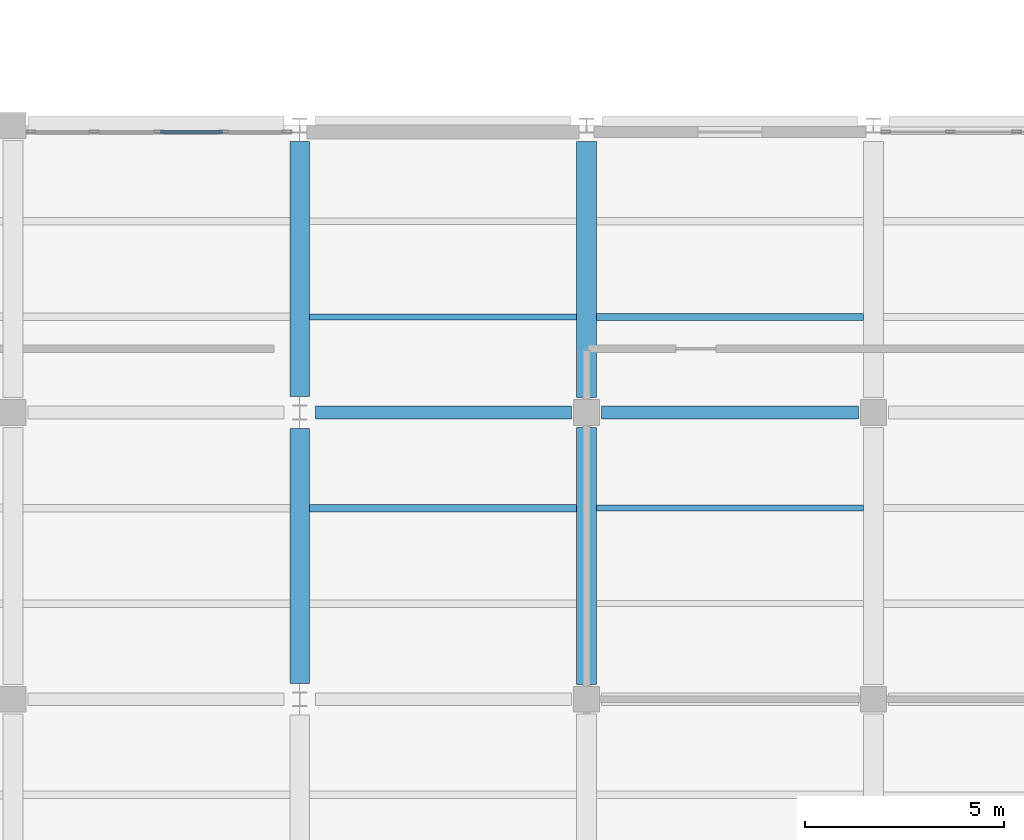
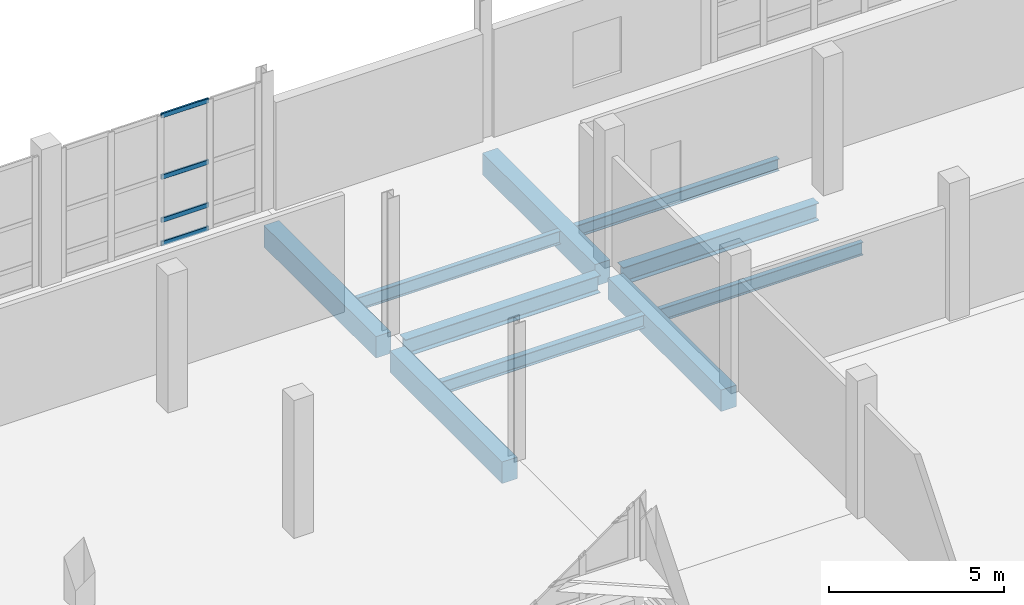
# One storey, part 40 of 127: 10 beams, 4 members, 1 element without a shape of its own.
"""IFC4 building model written with IfcOpenShell, lengths in metres."""

from ifc_helpers import new_model, si_unit, direction, frame, origin, origin_2d, place, context, subcontext, project, spatial, rectangle, hollow_rectangle, i_section, extrude, material, material_profile, profile_set, type_object, element, aggregate, save


model = new_model("IFC4")

# Units and contexts
model_context = context("Model", 3, precision=1e-05, world=origin(), true_north=direction((0.0, 1.0)))
body_context = subcontext(model_context, "Body", "Model", "MODEL_VIEW")
ifc_project = project(units=[si_unit("LENGTHUNIT", "METRE"), si_unit("AREAUNIT", "SQUARE_METRE"), si_unit("VOLUMEUNIT", "CUBIC_METRE"), si_unit("PLANEANGLEUNIT", "RADIAN"), si_unit("MASSUNIT", "GRAM", prefix="KILO")], contexts=[model_context])

# Site, building, storey
site_placement = place(None, origin())
site = spatial("IfcSite", under=ifc_project, at=site_placement, CompositionType="ELEMENT")
building_placement = place(site_placement, origin())
building = spatial("IfcBuilding", under=site, at=building_placement, Name="Kalmorath City Hall", CompositionType="ELEMENT")
storey_placement = place(building_placement, frame((0.0, 0.0, 5.39990234375)))
storey = spatial("IfcBuildingStorey", under=building, at=storey_placement, Name="L01", CompositionType="ELEMENT", Elevation=5.39990234375)

# Beams
ifc_material_1 = material(Name="Concrete C40/50", Category="concrete")
ifc_material_profile_1 = material_profile(ifc_material_1, rectangle(XDim=0.5, YDim=0.75, at=origin_2d()), Name="RC-BM-500X750")
ifc_profile_set_1 = profile_set([ifc_material_profile_1], Name="Concrete C40/50")
beam_type_1 = type_object("IfcBeamType", Name="Concrete floor beam 500x750", PredefinedType="BEAM", material=ifc_profile_set_1)
for number, where, z_axis, x_axis, name in (
    (1, (115.199951171875, 29.199951171875, -0.698974609375), (0.0, 1.0, 0.0), (-1.0, 0.0, 0.0), "L01 girder CB3 Y17/5-6"),
    (2, (115.199951171875, 36.39990234375, -0.698974609375), (0.0, 1.0, 0.0), (-1.0, 0.0, 0.0), "L01 girder CB3 Y17/6-7"),
):
    element("IfcBeam", number, at=place(storey_placement, frame(where, z_axis=z_axis, x_axis=x_axis)), inside=storey, type_object=beam_type_1, Name=name, PredefinedType="BEAM", context=body_context, shape_type="SweptSolid", body=[
        extrude(rectangle(XDim=0.5, YDim=0.75, at=origin_2d()), origin(), (0.0, 0.0, 1.0), 6.400146484375),
    ])
beam_1_placement = place(storey_placement, frame((122.39990234375, 29.175048828125, -0.698974609375), z_axis=(0.0, 1.0, 0.0), x_axis=(-1.0, 0.0, 0.0)))
element("IfcBeam", 3, at=beam_1_placement, inside=storey, type_object=beam_type_1, Name="L01 girder CB3 Y18/5-6", PredefinedType="BEAM", context=body_context, shape_type="SweptSolid", body=[
    extrude(rectangle(XDim=0.5, YDim=0.75, at=origin_2d()), origin(), (0.0, 0.0, 1.0), 6.449951171875),
])
beam_2_placement = place(storey_placement, frame((122.39990234375, 36.375, -0.698974609375), z_axis=(0.0, 1.0, 0.0), x_axis=(-1.0, 0.0, 0.0)))
element("IfcBeam", 4, at=beam_2_placement, inside=storey, type_object=beam_type_1, Name="L01 girder CB3 Y18/6-7", PredefinedType="BEAM", context=body_context, shape_type="SweptSolid", body=[
    extrude(rectangle(XDim=0.5, YDim=0.75, at=origin_2d()), origin(), (0.0, 0.0, 1.0), 6.425048828125),
])

# Curtain wall, members
ifc_material_2 = material(Name="Anodised aluminium and laminated glass", Category="aluminium")
curtain_wall_type = type_object("IfcCurtainWallType", Name="Unitised hurricane curtain wall 6508x4520 M1500", PredefinedType="NOTDEFINED", material=ifc_material_2)
curtain_wall_placement = place(storey_placement, origin())
curtain_wall = element("IfcCurtainWall", 5, at=curtain_wall_placement, inside=storey, type_object=curtain_wall_type, Name="L01 curtain wall CW-65X45M15 #92", PredefinedType="NOTDEFINED")
ifc_material_3 = material(Name="Anodised aluminium framing", Category="aluminium")
ifc_material_profile_2 = material_profile(ifc_material_3, hollow_rectangle(XDim=0.06494140625, YDim=0.159912109375, WallThickness=0.00390625, InnerFilletRadius=0.00390625, OuterFilletRadius=0.008056640625, at=origin_2d()), Name="ALU-TRN-160X65X4")
ifc_profile_set_2 = profile_set([ifc_material_profile_2], Name="Anodised aluminium framing")
member_type = type_object("IfcMemberType", Name="Curtain-wall primary transom 160x65", PredefinedType="USERDEFINED", material=ifc_profile_set_2)
member_1_placement = place(storey_placement, frame((111.70654296875, 43.0400390625, 0.03271484375), z_axis=(1.0, 0.0, 0.0), x_axis=(0.0, 1.0, 0.0)))
member_1 = element("IfcMember", 6, at=member_1_placement, type_object=member_type, Name="CW-65X45M15 transom 3.1", ObjectType="TRANSOM", PredefinedType="USERDEFINED", context=body_context, shape_type="SweptSolid", body=[
    extrude(hollow_rectangle(XDim=0.06494140625, YDim=0.159912109375, WallThickness=0.00390625, InnerFilletRadius=0.00390625, OuterFilletRadius=0.008056640625, at=origin_2d()), origin(), (0.0, 0.0, 1.0), 1.552001953125),
])
member_2_placement = place(storey_placement, frame((111.70654296875, 43.0400390625, 0.85009765625), z_axis=(1.0, 0.0, 0.0), x_axis=(0.0, 1.0, 0.0)))
member_2 = element("IfcMember", 7, at=member_2_placement, type_object=member_type, Name="CW-65X45M15 transom 3.2", ObjectType="TRANSOM", PredefinedType="USERDEFINED", context=body_context, shape_type="SweptSolid", body=[
    extrude(hollow_rectangle(XDim=0.06494140625, YDim=0.159912109375, WallThickness=0.00390625, InnerFilletRadius=0.00390625, OuterFilletRadius=0.008056640625, at=origin_2d()), origin(), (0.0, 0.0, 1.0), 1.552001953125),
])
member_3_placement = place(storey_placement, frame((111.70654296875, 43.0400390625, 2.35009765625), z_axis=(1.0, 0.0, 0.0), x_axis=(0.0, 1.0, 0.0)))
member_3 = element("IfcMember", 8, at=member_3_placement, type_object=member_type, Name="CW-65X45M15 transom 3.3", ObjectType="TRANSOM", PredefinedType="USERDEFINED", context=body_context, shape_type="SweptSolid", body=[
    extrude(hollow_rectangle(XDim=0.06494140625, YDim=0.159912109375, WallThickness=0.00390625, InnerFilletRadius=0.00390625, OuterFilletRadius=0.008056640625, at=origin_2d()), origin(), (0.0, 0.0, 1.0), 1.552001953125),
])
member_4_placement = place(storey_placement, frame((111.70654296875, 43.0400390625, 4.487548828125), z_axis=(1.0, 0.0, 0.0), x_axis=(0.0, 1.0, 0.0)))
member_4 = element("IfcMember", 9, at=member_4_placement, type_object=member_type, Name="CW-65X45M15 transom 3.4", ObjectType="TRANSOM", PredefinedType="USERDEFINED", context=body_context, shape_type="SweptSolid", body=[
    extrude(hollow_rectangle(XDim=0.06494140625, YDim=0.159912109375, WallThickness=0.00390625, InnerFilletRadius=0.00390625, OuterFilletRadius=0.008056640625, at=origin_2d()), origin(), (0.0, 0.0, 1.0), 1.552001953125),
])
aggregate(curtain_wall, [member_1, member_2, member_3, member_4])

# Beams
ifc_material_4 = material(Name="Steel ASTM A992 Grade 50", Category="steel")
ifc_material_profile_3 = material_profile(ifc_material_4, i_section(OverallWidth=0.180908203125, OverallDepth=0.4169921875, WebThickness=0.010986328125, FlangeThickness=0.018310546875, FilletRadius=0.012939453125, at=origin_2d()), Name="W16X57")
ifc_profile_set_3 = profile_set([ifc_material_profile_3], Name="Steel ASTM A992 Grade 50")
beam_type_2 = type_object("IfcBeamType", Name="Steel composite joist W16X57", PredefinedType="JOIST", material=ifc_profile_set_3)
beam_3_placement = place(storey_placement, frame((122.64990234375, 38.39990234375, -0.532470703125), z_axis=(1.0, 0.0, 0.0), x_axis=(0.0, 1.0, 0.0)))
element("IfcBeam", 10, at=beam_3_placement, inside=storey, type_object=beam_type_2, Name="L01 joist SJ5 18.6.1", PredefinedType="JOIST", context=body_context, shape_type="SweptSolid", body=[
    extrude(i_section(OverallWidth=0.180908203125, OverallDepth=0.4169921875, WebThickness=0.010986328125, FlangeThickness=0.018310546875, FilletRadius=0.012939453125, at=origin_2d()), origin(), (0.0, 0.0, 1.0), 6.7001953125),
])
ifc_material_5 = material(Name="Steel ASTM A992 Grade 50", Category="steel")
ifc_material_profile_4 = material_profile(ifc_material_5, i_section(OverallWidth=0.153076171875, OverallDepth=0.455078125, WebThickness=0.008056640625, FlangeThickness=0.01318359375, FilletRadius=0.013916015625, at=origin_2d()), Name="W18X40")
ifc_profile_set_4 = profile_set([ifc_material_profile_4], Name="Steel ASTM A992 Grade 50")
beam_type_3 = type_object("IfcBeamType", Name="Steel composite joist W18X40", PredefinedType="JOIST", material=ifc_profile_set_4)
beam_4_placement = place(storey_placement, frame((115.449951171875, 38.39990234375, -0.551513671875), z_axis=(1.0, 0.0, 0.0), x_axis=(0.0, 1.0, 0.0)))
element("IfcBeam", 11, at=beam_4_placement, inside=storey, type_object=beam_type_3, Name="L01 joist SJ4 17.6.1", PredefinedType="JOIST", context=body_context, shape_type="SweptSolid", body=[
    extrude(i_section(OverallWidth=0.153076171875, OverallDepth=0.455078125, WebThickness=0.008056640625, FlangeThickness=0.01318359375, FilletRadius=0.013916015625, at=origin_2d()), origin(), (0.0, 0.0, 1.0), 6.699951171875),
])
beam_5_placement = place(storey_placement, frame((122.64990234375, 33.60009765625, -0.551513671875), z_axis=(1.0, 0.0, 0.0), x_axis=(0.0, 1.0, 0.0)))
element("IfcBeam", 12, at=beam_5_placement, inside=storey, type_object=beam_type_3, Name="L01 joist SJ4 18.5.2", PredefinedType="JOIST", context=body_context, shape_type="SweptSolid", body=[
    extrude(i_section(OverallWidth=0.153076171875, OverallDepth=0.455078125, WebThickness=0.008056640625, FlangeThickness=0.01318359375, FilletRadius=0.013916015625, at=origin_2d()), origin(), (0.0, 0.0, 1.0), 6.7001953125),
])
ifc_material_6 = material(Name="Steel ASTM A992 Grade 50", Category="steel")
ifc_material_profile_5 = material_profile(ifc_material_6, i_section(OverallWidth=0.19091796875, OverallDepth=0.45703125, WebThickness=0.009033203125, FlangeThickness=0.014404296875, FilletRadius=0.013916015625, at=origin_2d()), Name="W18X50")
ifc_profile_set_5 = profile_set([ifc_material_profile_5], Name="Steel ASTM A992 Grade 50")
beam_type_4 = type_object("IfcBeamType", Name="Steel composite joist W18X50", PredefinedType="JOIST", material=ifc_profile_set_5)
beam_6_placement = place(storey_placement, frame((115.449951171875, 33.60009765625, -0.552490234375), z_axis=(1.0, 0.0, 0.0), x_axis=(0.0, 1.0, 0.0)))
element("IfcBeam", 13, at=beam_6_placement, inside=storey, type_object=beam_type_4, Name="L01 joist SJ3 17.5.2", PredefinedType="JOIST", context=body_context, shape_type="SweptSolid", body=[
    extrude(i_section(OverallWidth=0.19091796875, OverallDepth=0.45703125, WebThickness=0.009033203125, FlangeThickness=0.014404296875, FilletRadius=0.013916015625, at=origin_2d()), origin(), (0.0, 0.0, 1.0), 6.699951171875),
])
ifc_material_7 = material(Name="Steel ASTM A992 Grade 50", Category="steel")
ifc_material_profile_6 = material_profile(ifc_material_7, i_section(OverallWidth=0.323974609375, OverallDepth=0.611083984375, WebThickness=0.0126953125, FlangeThickness=0.01904296875, FilletRadius=0.01611328125, at=origin_2d()), Name="W24X104")
ifc_profile_set_6 = profile_set([ifc_material_profile_6], Name="Steel ASTM A992 Grade 50")
beam_type_5 = type_object("IfcBeamType", Name="Steel floor girder W24X104", PredefinedType="BEAM", material=ifc_profile_set_6)
beam_7_placement = place(storey_placement, frame((115.60009765625, 36.0, -0.62939453125), z_axis=(1.0, 0.0, 0.0), x_axis=(0.0, 1.0, 0.0)))
element("IfcBeam", 14, at=beam_7_placement, inside=storey, type_object=beam_type_5, Name="L01 girder SG7 X17-18/6", PredefinedType="BEAM", context=body_context, shape_type="SweptSolid", body=[
    extrude(i_section(OverallWidth=0.323974609375, OverallDepth=0.611083984375, WebThickness=0.0126953125, FlangeThickness=0.01904296875, FilletRadius=0.01611328125, at=origin_2d()), origin(), (0.0, 0.0, 1.0), 6.4248046875),
])
beam_8_placement = place(storey_placement, frame((122.77490234375, 36.0, -0.62939453125), z_axis=(1.0, 0.0, 0.0), x_axis=(0.0, 1.0, 0.0)))
element("IfcBeam", 15, at=beam_8_placement, inside=storey, type_object=beam_type_5, Name="L01 girder SG7 X18-19/6", PredefinedType="BEAM", context=body_context, shape_type="SweptSolid", body=[
    extrude(i_section(OverallWidth=0.323974609375, OverallDepth=0.611083984375, WebThickness=0.0126953125, FlangeThickness=0.01904296875, FilletRadius=0.01611328125, at=origin_2d()), origin(), (0.0, 0.0, 1.0), 6.4501953125),
])

save(model, "model.ifc")
